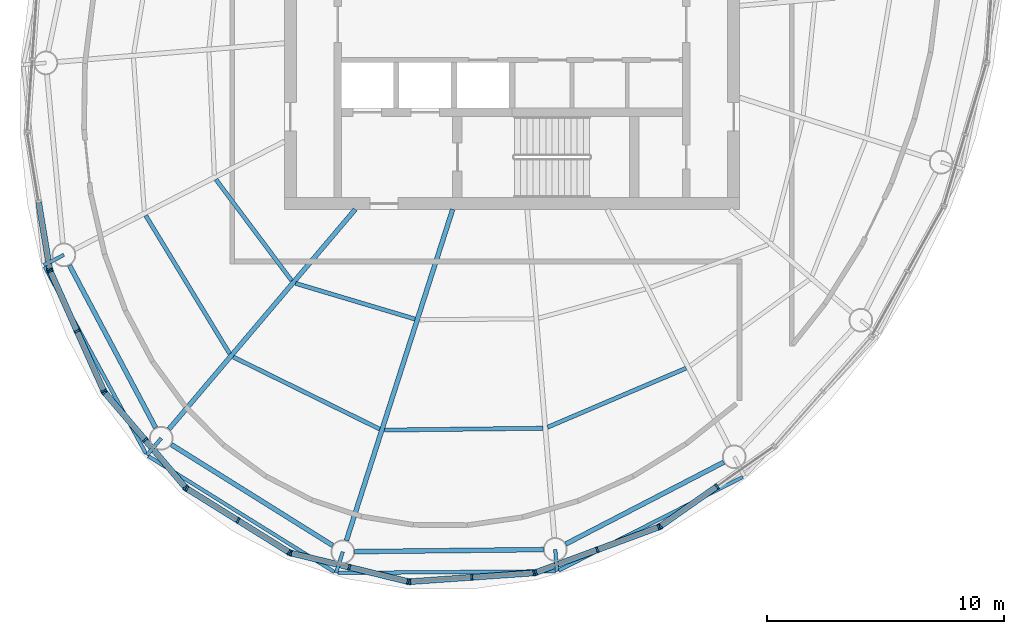
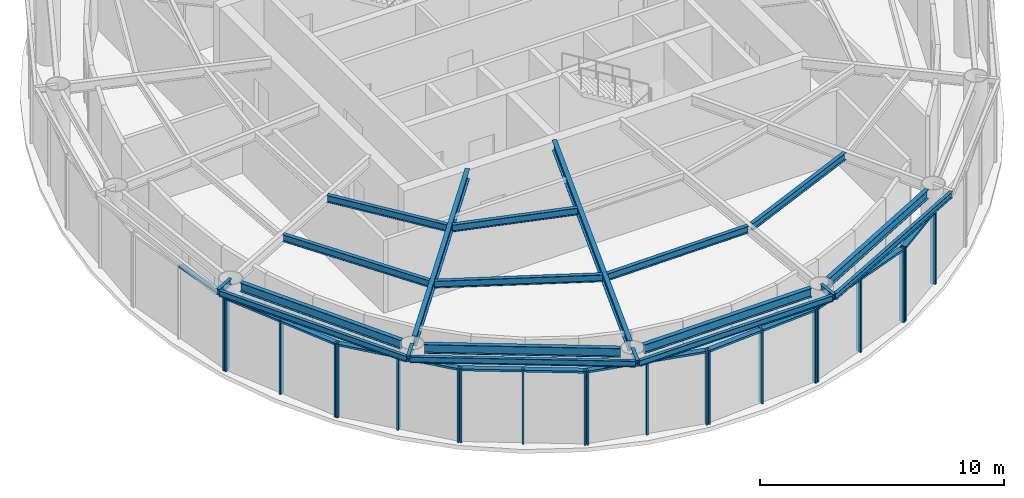
# One storey, part 2 of 11: 35 members, 20 beams, 8 elements without a shape of their own.
"""IFC4 building model written with IfcOpenShell, lengths in metres."""

import ifcopenshell
import ifcopenshell.guid

model = None  # the IFC model being written
_history = None  # IfcOwnerHistory: only IFC2X3 demands one
_inside = {}  # id of a spatial element -> (the spatial element, [elements in it])
_under = {}  # id of a project, library or spatial element -> (it, [spatial elements below it])
_declared = {}  # id of a project -> (the project, [libraries it declares])
_typed = {}  # id of a type object -> (the type object, [elements of that type])
_made_of = {}  # id of a material, layer set ... -> (it, [elements and type objects made of it])


def new_model(schema):
    """Start an empty IFC model of exactly this schema.

    Asked for "IFC4X3", IfcOpenShell would pick the latest addendum, in which some entities
    have other attributes; the version numbers below select the first issue.
    IFC2X3 requires an IfcOwnerHistory on every rooted entity: one is made here for all.
    """
    global model, _history
    if schema == "IFC4X3":
        model = ifcopenshell.file(schema_version=(4, 3, 0, 0))
    else:
        model = ifcopenshell.file(schema=schema)
    _inside.clear()
    _under.clear()
    _declared.clear()
    _typed.clear()
    _made_of.clear()
    _history = None
    if model.schema == "IFC2X3":
        org = make("IfcOrganization", Name="unknown")
        user = make(
            "IfcPersonAndOrganization",
            ThePerson=make("IfcPerson", FamilyName="unknown"),
            TheOrganization=org,
        )
        app = make(
            "IfcApplication",
            ApplicationDeveloper=org,
            Version="unknown",
            ApplicationFullName="unknown",
            ApplicationIdentifier="unknown",
        )
        _history = make(
            "IfcOwnerHistory",
            OwningUser=user,
            OwningApplication=app,
            ChangeAction="ADDED",
            CreationDate=0,
        )
    return model


def make(cls, **values):
    """One entity of the class cls with the attributes given. An attribute that is None is left unset."""
    return model.create_entity(
        cls, **{name: value for name, value in values.items() if value is not None}
    )


def rooted(cls, **values):
    """An entity with a GlobalId (a new one), such as an element, a storey or a relation."""
    return make(cls, GlobalId=ifcopenshell.guid.new(), OwnerHistory=_history, **values)


def si_unit(unit_type, name, prefix=None):
    """IfcSIUnit, for example si_unit("LENGTHUNIT", "METRE", prefix="MILLI")."""
    return make("IfcSIUnit", UnitType=unit_type, Prefix=prefix, Name=name)


def assignment(units):
    """IfcUnitAssignment: the units of a project."""
    return None if units is None else make("IfcUnitAssignment", Units=units)


def point(xyz):
    """IfcCartesianPoint."""
    return None if xyz is None else make("IfcCartesianPoint", Coordinates=xyz)


def direction(xyz):
    """IfcDirection."""
    return None if xyz is None else make("IfcDirection", DirectionRatios=xyz)


def frame(location, z_axis=None, x_axis=None):
    """IfcAxis2Placement3D, a coordinate frame: its origin and axes. An axis left out is left unset."""
    return make(
        "IfcAxis2Placement3D",
        Location=point(location),
        Axis=direction(z_axis),
        RefDirection=direction(x_axis),
    )


def frame_2d(location, x_axis=None):
    """IfcAxis2Placement2D, a coordinate frame in the plane: its origin and x axis."""
    return make(
        "IfcAxis2Placement2D", Location=point(location), RefDirection=direction(x_axis)
    )


def origin():
    """The frame at (0, 0, 0) with its axes left unset."""
    return frame((0.0, 0.0, 0.0))


def origin_2d():
    """The frame at (0, 0) in the plane with its x axis left unset."""
    return frame_2d((0.0, 0.0))


def place(relative_to, where):
    """IfcLocalPlacement: puts the frame where relative to a parent placement (None: the world)."""
    return make(
        "IfcLocalPlacement", PlacementRelTo=relative_to, RelativePlacement=where
    )


def context(
    kind, dimensions, precision=None, world=None, true_north=None, identifier=None
):
    """IfcGeometricRepresentationContext, for example the 3D "Model" context."""
    return make(
        "IfcGeometricRepresentationContext",
        ContextIdentifier=identifier,
        ContextType=kind,
        CoordinateSpaceDimension=dimensions,
        Precision=precision,
        WorldCoordinateSystem=world,
        TrueNorth=true_north,
    )


def subcontext(parent, identifier, kind, view, scale=None):
    """IfcGeometricRepresentationSubContext, for example "Body" below "Model"."""
    return make(
        "IfcGeometricRepresentationSubContext",
        ContextIdentifier=identifier,
        ContextType=kind,
        ParentContext=parent,
        TargetScale=scale,
        TargetView=view,
    )


def project(units=None, contexts=None):
    """IfcProject with its units and contexts."""
    return rooted(
        "IfcProject",
        Name="project",
        RepresentationContexts=contexts,
        UnitsInContext=assignment(units),
    )


def spatial(cls, under=None, at=None, **own):
    """A site, building, storey or space (cls), placed at a placement, below another one or the project."""
    s = rooted(cls, ObjectPlacement=at, **own)
    if under is not None:
        _under.setdefault(under.id(), (under, []))[1].append(s)
    return s


def profile(cls, at=None, kind="AREA", **sizes):
    """A parametric profile (cls). Its sizes go by their IFC names, for example OverallWidth=200.0."""
    return make(cls, ProfileType=kind, Position=at, **sizes)


def rectangle(**sizes):
    """IfcRectangleProfileDef."""
    return profile("IfcRectangleProfileDef", **sizes)


def i_section(**sizes):
    """IfcIShapeProfileDef."""
    return profile("IfcIShapeProfileDef", **sizes)


def extrude(swept, where, along, depth):
    """IfcExtrudedAreaSolid: the profile swept, set in the frame where, extruded along a direction by depth."""
    return make(
        "IfcExtrudedAreaSolid",
        SweptArea=swept,
        Position=where,
        ExtrudedDirection=direction(along),
        Depth=depth,
    )


def shape(context_of_items, identifier, shape_type, items):
    """IfcShapeRepresentation: the items that make up one representation, for example the "Body"."""
    return make(
        "IfcShapeRepresentation",
        ContextOfItems=context_of_items,
        RepresentationIdentifier=identifier,
        RepresentationType=shape_type,
        Items=items,
    )


def material(Name=None, Category=None):
    """IfcMaterial."""
    return make("IfcMaterial", Name=Name, Category=Category)


def material_profile(
    of_material, cross_section, Name=None, Category=None, Priority=None
):
    """IfcMaterialProfile: a cross section and its material."""
    return make(
        "IfcMaterialProfile",
        Name=Name,
        Material=of_material,
        Profile=cross_section,
        Priority=Priority,
        Category=Category,
    )


def profile_set(profiles, Name=None, composite=None):
    """IfcMaterialProfileSet."""
    return make(
        "IfcMaterialProfileSet",
        Name=Name,
        MaterialProfiles=profiles,
        CompositeProfile=composite,
    )


def made_of(thing, what):
    """Note that an element or type object is made of a material, layer set ...; save() writes the relation."""
    if what is not None:
        _made_of.setdefault(what.id(), (what, []))[1].append(thing)
    return thing


def type_object(cls, material=None, **own):
    """A type object (cls), such as IfcWallType, which elements share."""
    return made_of(rooted(cls, **own), material)


def element(
    cls,
    number,
    at=None,
    inside=None,
    cuts=None,
    type_object=None,
    material=None,
    context=None,
    identifier="Body",
    shape_type=None,
    held_by="IfcProductDefinitionShape",
    body=None,
    shapes=None,
    **own,
):
    """One element of the class cls, such as IfcWall. Its Tag is "e" and its number.

    at: its placement. inside: the storey or other place that contains it. cuts: it is an
    opening in that element (IfcRelVoidsElement). A single representation is given by context,
    identifier, shape_type and body (its items); several are given by shapes. held_by: the class
    of the entity that holds the representations. save() writes the other relations.
    """
    e = rooted(cls, Tag="e%d" % number, ObjectPlacement=at, **own)
    if body is not None:
        shapes = [shape(context, identifier, shape_type, body)]
    if shapes is not None:
        e.Representation = make(held_by, Representations=shapes)
    if inside is not None:
        _inside.setdefault(inside.id(), (inside, []))[1].append(e)
    if cuts is not None:
        rooted(
            "IfcRelVoidsElement", RelatingBuildingElement=cuts, RelatedOpeningElement=e
        )
    if type_object is not None:
        _typed.setdefault(type_object.id(), (type_object, []))[1].append(e)
    return made_of(e, material)


def aggregate(whole, parts):
    """IfcRelAggregates: a whole, such as a stair, and the parts it consists of."""
    return rooted("IfcRelAggregates", RelatingObject=whole, RelatedObjects=parts)


def save(model, path):
    """Write the relations noted so far, then the file.

    IfcRelAggregates (storeys below a building ...), IfcRelContainedInSpatialStructure (elements
    in a storey), IfcRelDefinesByType, IfcRelAssociatesMaterial and IfcRelDeclares: one each for
    every whole, place, type object, material and project.
    """
    for whole, parts in _under.values():
        aggregate(whole, parts)
    for where, things in _inside.values():
        rooted(
            "IfcRelContainedInSpatialStructure",
            RelatedElements=things,
            RelatingStructure=where,
        )
    for kind, things in _typed.values():
        rooted("IfcRelDefinesByType", RelatedObjects=things, RelatingType=kind)
    for what, things in _made_of.values():
        rooted("IfcRelAssociatesMaterial", RelatedObjects=things, RelatingMaterial=what)
    for by, libraries in _declared.values():
        rooted("IfcRelDeclares", RelatingContext=by, RelatedDefinitions=libraries)
    model.write(path)


model = new_model("IFC4")

# Units and contexts
model_context = context("Model", 3, precision=1e-05, world=origin(), true_north=direction((0.0, 1.0)))
body_context = subcontext(model_context, "Body", "Model", "MODEL_VIEW")
ifc_project = project(units=[si_unit("LENGTHUNIT", "METRE"), si_unit("AREAUNIT", "SQUARE_METRE"), si_unit("VOLUMEUNIT", "CUBIC_METRE"), si_unit("PLANEANGLEUNIT", "RADIAN"), si_unit("MASSUNIT", "GRAM", prefix="KILO")], contexts=[model_context])

# Site, building, storey
site_placement = place(None, origin())
site = spatial("IfcSite", under=ifc_project, at=site_placement, CompositionType="ELEMENT")
building_placement = place(site_placement, origin())
building = spatial("IfcBuilding", under=site, at=building_placement, Name="Vermilion Reach Broadcast Tower", CompositionType="ELEMENT")
storey_placement = place(building_placement, frame((0.0, 0.0, 321.300048828125)))
storey = spatial("IfcBuildingStorey", under=building, at=storey_placement, Name="L80 CROWN", CompositionType="ELEMENT", Elevation=321.300048828125)

# Curtain wall, member
ifc_material_1 = material(Name="Low-e laminated clear glass in aluminium frame", Category="aluminium")
curtain_wall_type = type_object("IfcCurtainWallType", Name="Crown glazing curtain wall", PredefinedType="NOTDEFINED", material=ifc_material_1)
placement = place(storey_placement, origin())
curtain_wall_1 = element("IfcCurtainWall", 1, at=placement, inside=storey, type_object=curtain_wall_type, Name="Crown glazing L80 CROWN 09", PredefinedType="NOTDEFINED")
ifc_material_2 = material(Name="Anodised aluminium", Category="aluminium")
ifc_material_profile_1 = material_profile(ifc_material_2, rectangle(XDim=0.25, YDim=0.080078125, at=origin_2d()), Name="Crown glazing mullion 80 x 250")
ifc_profile_set_1 = profile_set([ifc_material_profile_1], Name="Anodised aluminium")
member_type_1 = type_object("IfcMemberType", Name="Crown glazing mullion 80 x 250", PredefinedType="MULLION", material=ifc_profile_set_1)
member_1_placement = place(storey_placement, frame((-25.5029296875, -10.3359375, 0.0), z_axis=(0.0, 0.0, 1.0), x_axis=(0.986689101121, 0.162618011697, 0.0)))
member_1 = element("IfcMember", 2, at=member_1_placement, type_object=member_type_1, Name="Crown glazing mullion L80 CROWN 09.3", PredefinedType="MULLION", context=body_context, shape_type="SweptSolid", body=[
    extrude(rectangle(XDim=0.25, YDim=0.080078125, at=origin_2d()), origin(), (0.0, 0.0, 1.0), 3.699951171875),
])

# Curtain wall, members
curtain_wall_2 = element("IfcCurtainWall", 3, at=placement, inside=storey, type_object=curtain_wall_type, Name="Crown glazing L80 CROWN 10", PredefinedType="NOTDEFINED")
member_2_placement = place(storey_placement, frame((-25.480224609375, -10.411865234375, 0.0), z_axis=(0.0, 0.0, 1.0), x_axis=(0.912988806241, 0.407984607158, 0.0)))
member_2 = element("IfcMember", 4, at=member_2_placement, type_object=member_type_1, Name="Crown glazing mullion L80 CROWN 10.1", PredefinedType="MULLION", context=body_context, shape_type="SweptSolid", body=[
    extrude(rectangle(XDim=0.25, YDim=0.080078125, at=origin_2d()), origin(), (0.0, 0.0, 1.0), 3.699951171875),
])
member_3_placement = place(storey_placement, frame((-24.35205078125, -12.9365234375, 0.0), z_axis=(0.0, 0.0, 1.0), x_axis=(0.912988806241, 0.407984607158, 0.0)))
member_3 = element("IfcMember", 5, at=member_3_placement, type_object=member_type_1, Name="Crown glazing mullion L80 CROWN 10.2", PredefinedType="MULLION", context=body_context, shape_type="SweptSolid", body=[
    extrude(rectangle(XDim=0.25, YDim=0.080078125, at=origin_2d()), origin(), (0.0, 0.0, 1.0), 3.699951171875),
])
member_4_placement = place(storey_placement, frame((-23.2236328125, -15.46142578125, 0.0), z_axis=(0.0, 0.0, 1.0), x_axis=(0.912988806241, 0.407984607158, 0.0)))
member_4 = element("IfcMember", 6, at=member_4_placement, type_object=member_type_1, Name="Crown glazing mullion L80 CROWN 10.3", PredefinedType="MULLION", context=body_context, shape_type="SweptSolid", body=[
    extrude(rectangle(XDim=0.25, YDim=0.080078125, at=origin_2d()), origin(), (0.0, 0.0, 1.0), 3.699951171875),
])

curtain_wall_3 = element("IfcCurtainWall", 7, at=placement, inside=storey, type_object=curtain_wall_type, Name="Crown glazing L80 CROWN 11", PredefinedType="NOTDEFINED")
member_5_placement = place(storey_placement, frame((-23.181396484375, -15.5283203125, 0.0), z_axis=(0.0, 0.0, 1.0), x_axis=(0.761749854468, 0.647871252038, 0.0)))
member_5 = element("IfcMember", 8, at=member_5_placement, type_object=member_type_1, Name="Crown glazing mullion L80 CROWN 11.1", PredefinedType="MULLION", context=body_context, shape_type="SweptSolid", body=[
    extrude(rectangle(XDim=0.25, YDim=0.080078125, at=origin_2d()), origin(), (0.0, 0.0, 1.0), 3.699951171875),
])
member_6_placement = place(storey_placement, frame((-21.480224609375, -17.52880859375, 0.0), z_axis=(0.0, 0.0, 1.0), x_axis=(0.761749854468, 0.647871252038, 0.0)))
member_6 = element("IfcMember", 9, at=member_6_placement, type_object=member_type_1, Name="Crown glazing mullion L80 CROWN 11.2", PredefinedType="MULLION", context=body_context, shape_type="SweptSolid", body=[
    extrude(rectangle(XDim=0.25, YDim=0.080078125, at=origin_2d()), origin(), (0.0, 0.0, 1.0), 3.699951171875),
])
member_7_placement = place(storey_placement, frame((-19.77880859375, -19.529052734375, 0.0), z_axis=(0.0, 0.0, 1.0), x_axis=(0.761749854468, 0.647871252038, 0.0)))
member_7 = element("IfcMember", 10, at=member_7_placement, type_object=member_type_1, Name="Crown glazing mullion L80 CROWN 11.3", PredefinedType="MULLION", context=body_context, shape_type="SweptSolid", body=[
    extrude(rectangle(XDim=0.25, YDim=0.080078125, at=origin_2d()), origin(), (0.0, 0.0, 1.0), 3.699951171875),
])

curtain_wall_4 = element("IfcCurtainWall", 11, at=placement, inside=storey, type_object=curtain_wall_type, Name="Crown glazing L80 CROWN 12", PredefinedType="NOTDEFINED")
member_8_placement = place(storey_placement, frame((-19.718994140625, -19.580810546875, 0.0), z_axis=(0.0, 0.0, 1.0), x_axis=(0.52886102859, 0.848708437827, 0.0)))
member_8 = element("IfcMember", 12, at=member_8_placement, type_object=member_type_1, Name="Crown glazing mullion L80 CROWN 12.1", PredefinedType="MULLION", context=body_context, shape_type="SweptSolid", body=[
    extrude(rectangle(XDim=0.25, YDim=0.080078125, at=origin_2d()), origin(), (0.0, 0.0, 1.0), 3.699951171875),
])
member_9_placement = place(storey_placement, frame((-17.5615234375, -20.925048828125, 0.0), z_axis=(0.0, 0.0, 1.0), x_axis=(0.52886102859, 0.848708437827, 0.0)))
member_9 = element("IfcMember", 13, at=member_9_placement, type_object=member_type_1, Name="Crown glazing mullion L80 CROWN 12.2", PredefinedType="MULLION", context=body_context, shape_type="SweptSolid", body=[
    extrude(rectangle(XDim=0.25, YDim=0.080078125, at=origin_2d()), origin(), (0.0, 0.0, 1.0), 3.699951171875),
])
member_10_placement = place(storey_placement, frame((-15.404052734375, -22.26953125, 0.0), z_axis=(0.0, 0.0, 1.0), x_axis=(0.52886102859, 0.848708437827, 0.0)))
member_10 = element("IfcMember", 14, at=member_10_placement, type_object=member_type_1, Name="Crown glazing mullion L80 CROWN 12.3", PredefinedType="MULLION", context=body_context, shape_type="SweptSolid", body=[
    extrude(rectangle(XDim=0.25, YDim=0.080078125, at=origin_2d()), origin(), (0.0, 0.0, 1.0), 3.699951171875),
])

curtain_wall_5 = element("IfcCurtainWall", 15, at=placement, inside=storey, type_object=curtain_wall_type, Name="Crown glazing L80 CROWN 13", PredefinedType="NOTDEFINED")
member_11_placement = place(storey_placement, frame((-15.331298828125, -22.300048828125, 0.0), z_axis=(0.0, 0.0, 1.0), x_axis=(0.236354420386, 0.971666912045, 0.0)))
member_11 = element("IfcMember", 16, at=member_11_placement, type_object=member_type_1, Name="Crown glazing mullion L80 CROWN 13.1", PredefinedType="MULLION", context=body_context, shape_type="SweptSolid", body=[
    extrude(rectangle(XDim=0.25, YDim=0.080078125, at=origin_2d()), origin(), (0.0, 0.0, 1.0), 3.699951171875),
])
member_12_placement = place(storey_placement, frame((-12.861328125, -22.90087890625, 0.0), z_axis=(0.0, 0.0, 1.0), x_axis=(0.236354420386, 0.971666912045, 0.0)))
member_12 = element("IfcMember", 17, at=member_12_placement, type_object=member_type_1, Name="Crown glazing mullion L80 CROWN 13.2", PredefinedType="MULLION", context=body_context, shape_type="SweptSolid", body=[
    extrude(rectangle(XDim=0.25, YDim=0.080078125, at=origin_2d()), origin(), (0.0, 0.0, 1.0), 3.699951171875),
])
member_13_placement = place(storey_placement, frame((-10.39111328125, -23.501708984375, 0.0), z_axis=(0.0, 0.0, 1.0), x_axis=(0.236354420386, 0.971666912045, 0.0)))
member_13 = element("IfcMember", 18, at=member_13_placement, type_object=member_type_1, Name="Crown glazing mullion L80 CROWN 13.3", PredefinedType="MULLION", context=body_context, shape_type="SweptSolid", body=[
    extrude(rectangle(XDim=0.25, YDim=0.080078125, at=origin_2d()), origin(), (0.0, 0.0, 1.0), 3.699951171875),
])

curtain_wall_6 = element("IfcCurtainWall", 19, at=placement, inside=storey, type_object=curtain_wall_type, Name="Crown glazing L80 CROWN 14", PredefinedType="NOTDEFINED")
member_14_placement = place(storey_placement, frame((-10.3125, -23.50830078125, 0.0), z_axis=(0.0, 0.0, 1.0), x_axis=(-0.070082236977, 0.997541217224, 0.0)))
member_14 = element("IfcMember", 20, at=member_14_placement, type_object=member_type_1, Name="Crown glazing mullion L80 CROWN 14.1", PredefinedType="MULLION", context=body_context, shape_type="SweptSolid", body=[
    extrude(rectangle(XDim=0.25, YDim=0.080078125, at=origin_2d()), origin(), (0.0, 0.0, 1.0), 3.699951171875),
])
member_15_placement = place(storey_placement, frame((-7.69287109375, -23.324462890625, 0.0), z_axis=(0.0, 0.0, 1.0), x_axis=(-0.070082236977, 0.997541217224, 0.0)))
member_15 = element("IfcMember", 21, at=member_15_placement, type_object=member_type_1, Name="Crown glazing mullion L80 CROWN 14.2", PredefinedType="MULLION", context=body_context, shape_type="SweptSolid", body=[
    extrude(rectangle(XDim=0.25, YDim=0.080078125, at=origin_2d()), origin(), (0.0, 0.0, 1.0), 3.699951171875),
])
member_16_placement = place(storey_placement, frame((-5.0732421875, -23.140380859375, 0.0), z_axis=(0.0, 0.0, 1.0), x_axis=(-0.070082236977, 0.997541217224, 0.0)))
member_16 = element("IfcMember", 22, at=member_16_placement, type_object=member_type_1, Name="Crown glazing mullion L80 CROWN 14.3", PredefinedType="MULLION", context=body_context, shape_type="SweptSolid", body=[
    extrude(rectangle(XDim=0.25, YDim=0.080078125, at=origin_2d()), origin(), (0.0, 0.0, 1.0), 3.699951171875),
])

curtain_wall_7 = element("IfcCurtainWall", 23, at=placement, inside=storey, type_object=curtain_wall_type, Name="Crown glazing L80 CROWN 15", PredefinedType="NOTDEFINED")
member_17_placement = place(storey_placement, frame((-4.995849609375, -23.12353515625, 0.0), z_axis=(0.0, 0.0, 1.0), x_axis=(-0.347291008771, 0.93775740745, 0.0)))
member_17 = element("IfcMember", 24, at=member_17_placement, type_object=member_type_1, Name="Crown glazing mullion L80 CROWN 15.1", PredefinedType="MULLION", context=body_context, shape_type="SweptSolid", body=[
    extrude(rectangle(XDim=0.25, YDim=0.080078125, at=origin_2d()), origin(), (0.0, 0.0, 1.0), 3.699951171875),
])
member_18_placement = place(storey_placement, frame((-2.402587890625, -22.163330078125, 0.0), z_axis=(0.0, 0.0, 1.0), x_axis=(-0.347291008771, 0.93775740745, 0.0)))
member_18 = element("IfcMember", 25, at=member_18_placement, type_object=member_type_1, Name="Crown glazing mullion L80 CROWN 15.2", PredefinedType="MULLION", context=body_context, shape_type="SweptSolid", body=[
    extrude(rectangle(XDim=0.25, YDim=0.080078125, at=origin_2d()), origin(), (0.0, 0.0, 1.0), 3.699951171875),
])
member_19_placement = place(storey_placement, frame((0.190673828125, -21.202880859375, 0.0), z_axis=(0.0, 0.0, 1.0), x_axis=(-0.347291008771, 0.93775740745, 0.0)))
member_19 = element("IfcMember", 26, at=member_19_placement, type_object=member_type_1, Name="Crown glazing mullion L80 CROWN 15.3", PredefinedType="MULLION", context=body_context, shape_type="SweptSolid", body=[
    extrude(rectangle(XDim=0.25, YDim=0.080078125, at=origin_2d()), origin(), (0.0, 0.0, 1.0), 3.699951171875),
])

curtain_wall_8 = element("IfcCurtainWall", 27, at=placement, inside=storey, type_object=curtain_wall_type, Name="Crown glazing L80 CROWN 16", PredefinedType="NOTDEFINED")
member_20_placement = place(storey_placement, frame((0.2607421875, -21.166015625, 0.0), z_axis=(0.0, 0.0, 1.0), x_axis=(-0.574163969023, 0.818740335317, 0.0)))
member_20 = element("IfcMember", 28, at=member_20_placement, type_object=member_type_1, Name="Crown glazing mullion L80 CROWN 16.1", PredefinedType="MULLION", context=body_context, shape_type="SweptSolid", body=[
    extrude(rectangle(XDim=0.25, YDim=0.080078125, at=origin_2d()), origin(), (0.0, 0.0, 1.0), 3.699951171875),
])
member_21_placement = place(storey_placement, frame((2.64990234375, -19.49072265625, 0.0), z_axis=(0.0, 0.0, 1.0), x_axis=(-0.574163969023, 0.818740335317, 0.0)))
member_21 = element("IfcMember", 29, at=member_21_placement, type_object=member_type_1, Name="Crown glazing mullion L80 CROWN 16.2", PredefinedType="MULLION", context=body_context, shape_type="SweptSolid", body=[
    extrude(rectangle(XDim=0.25, YDim=0.080078125, at=origin_2d()), origin(), (0.0, 0.0, 1.0), 3.699951171875),
])

# Member
ifc_material_3 = material(Name="Anodised aluminium", Category="aluminium")
ifc_material_profile_2 = material_profile(ifc_material_3, rectangle(XDim=0.25, YDim=0.10009765625, at=origin_2d()), Name="Crown glazing transom 250 x 100")
ifc_profile_set_2 = profile_set([ifc_material_profile_2], Name="Anodised aluminium")
member_type_2 = type_object("IfcMemberType", Name="Crown glazing transom 250 x 100", PredefinedType="USERDEFINED", material=ifc_profile_set_2)
member_22_placement = place(storey_placement, frame((-25.970947265625, -7.496337890625, 3.64990234375), z_axis=(0.162599033258, -0.986692228805, 0.0), x_axis=(0.986692228805, 0.162599033258, 0.0)))
member_22 = element("IfcMember", 30, at=member_22_placement, type_object=member_type_2, Name="Crown glazing transom L80 CROWN 09.2.2", ObjectType="TRANSOM", PredefinedType="USERDEFINED", context=body_context, shape_type="SweptSolid", body=[
    extrude(rectangle(XDim=0.25, YDim=0.10009765625, at=origin_2d()), origin(), (0.0, 0.0, 1.0), 2.837890625),
])

aggregate(curtain_wall_1, [member_1, member_22])

member_23_placement = place(storey_placement, frame((-25.4638671875, -10.4482421875, 3.64990234375), z_axis=(0.407993268167, -0.912984935873, 0.0), x_axis=(0.912984935873, 0.407993268167, 0.0)))
member_23 = element("IfcMember", 31, at=member_23_placement, type_object=member_type_2, Name="Crown glazing transom L80 CROWN 10.1.2", ObjectType="TRANSOM", PredefinedType="USERDEFINED", context=body_context, shape_type="SweptSolid", body=[
    extrude(rectangle(XDim=0.25, YDim=0.10009765625, at=origin_2d()), origin(), (0.0, 0.0, 1.0), 2.685546875),
])

member_24_placement = place(storey_placement, frame((-24.335693359375, -12.97314453125, 3.64990234375), z_axis=(0.40802713302, -0.912969801647, 0.0), x_axis=(0.912969801647, 0.40802713302, 0.0)))
member_24 = element("IfcMember", 32, at=member_24_placement, type_object=member_type_2, Name="Crown glazing transom L80 CROWN 10.2.2", ObjectType="TRANSOM", PredefinedType="USERDEFINED", context=body_context, shape_type="SweptSolid", body=[
    extrude(rectangle(XDim=0.25, YDim=0.10009765625, at=origin_2d()), origin(), (0.0, 0.0, 1.0), 2.685302734375),
])

aggregate(curtain_wall_2, [member_2, member_3, member_4, member_23, member_24])

member_25_placement = place(storey_placement, frame((-23.155517578125, -15.558837890625, 3.64990234375), z_axis=(0.647848811341, -0.7617689398, 0.0), x_axis=(0.7617689398, 0.647848811341, 0.0)))
member_25 = element("IfcMember", 33, at=member_25_placement, type_object=member_type_2, Name="Crown glazing transom L80 CROWN 11.1.2", ObjectType="TRANSOM", PredefinedType="USERDEFINED", context=body_context, shape_type="SweptSolid", body=[
    extrude(rectangle(XDim=0.25, YDim=0.10009765625, at=origin_2d()), origin(), (0.0, 0.0, 1.0), 2.5458984375),
])

member_26_placement = place(storey_placement, frame((-21.454345703125, -17.55908203125, 3.64990234375), z_axis=(0.647904451719, -0.761721616762, 0.0), x_axis=(0.761721616762, 0.647904451719, 0.0)))
member_26 = element("IfcMember", 34, at=member_26_placement, type_object=member_type_2, Name="Crown glazing transom L80 CROWN 11.2.2", ObjectType="TRANSOM", PredefinedType="USERDEFINED", context=body_context, shape_type="SweptSolid", body=[
    extrude(rectangle(XDim=0.25, YDim=0.10009765625, at=origin_2d()), origin(), (0.0, 0.0, 1.0), 2.546142578125),
])

aggregate(curtain_wall_3, [member_5, member_6, member_7, member_25, member_26])

member_27_placement = place(storey_placement, frame((-19.68505859375, -19.601806640625, 3.64990234375), z_axis=(0.848682779768, -0.528902202043, 0.0), x_axis=(0.528902202043, 0.848682779768, 0.0)))
member_27 = element("IfcMember", 35, at=member_27_placement, type_object=member_type_2, Name="Crown glazing transom L80 CROWN 12.1.2", ObjectType="TRANSOM", PredefinedType="USERDEFINED", context=body_context, shape_type="SweptSolid", body=[
    extrude(rectangle(XDim=0.25, YDim=0.10009765625, at=origin_2d()), origin(), (0.0, 0.0, 1.0), 2.462158203125),
])

member_28_placement = place(storey_placement, frame((-17.527587890625, -20.9462890625, 3.64990234375), z_axis=(0.848727287614, -0.528830777526, 0.0), x_axis=(0.528830777526, 0.848727287614, 0.0)))
member_28 = element("IfcMember", 36, at=member_28_placement, type_object=member_type_2, Name="Crown glazing transom L80 CROWN 12.2.2", ObjectType="TRANSOM", PredefinedType="USERDEFINED", context=body_context, shape_type="SweptSolid", body=[
    extrude(rectangle(XDim=0.25, YDim=0.10009765625, at=origin_2d()), origin(), (0.0, 0.0, 1.0), 2.462158203125),
])

aggregate(curtain_wall_4, [member_8, member_9, member_10, member_27, member_28])

member_29_placement = place(storey_placement, frame((-15.29248046875, -22.3095703125, 3.64990234375), z_axis=(0.971679911502, -0.236300972457, 0.0), x_axis=(0.236300972457, 0.971679911502, 0.0)))
member_29 = element("IfcMember", 37, at=member_29_placement, type_object=member_type_2, Name="Crown glazing transom L80 CROWN 13.1.2", ObjectType="TRANSOM", PredefinedType="USERDEFINED", context=body_context, shape_type="SweptSolid", body=[
    extrude(rectangle(XDim=0.25, YDim=0.10009765625, at=origin_2d()), origin(), (0.0, 0.0, 1.0), 2.462158203125),
])

member_30_placement = place(storey_placement, frame((-12.822265625, -22.910400390625, 3.64990234375), z_axis=(0.971674373727, -0.236323742865, 0.0), x_axis=(0.236323742865, 0.971674373727, 0.0)))
member_30 = element("IfcMember", 38, at=member_30_placement, type_object=member_type_2, Name="Crown glazing transom L80 CROWN 13.2.2", ObjectType="TRANSOM", PredefinedType="USERDEFINED", context=body_context, shape_type="SweptSolid", body=[
    extrude(rectangle(XDim=0.25, YDim=0.10009765625, at=origin_2d()), origin(), (0.0, 0.0, 1.0), 2.4619140625),
])

aggregate(curtain_wall_5, [member_11, member_12, member_13, member_29, member_30])

member_31_placement = place(storey_placement, frame((-10.2724609375, -23.505615234375, 3.64990234375), z_axis=(0.997539824471, 0.07010205842, 0.0), x_axis=(-0.07010205842, 0.997539824471, 0.0)))
member_31 = element("IfcMember", 39, at=member_31_placement, type_object=member_type_2, Name="Crown glazing transom L80 CROWN 14.1.2", ObjectType="TRANSOM", PredefinedType="USERDEFINED", context=body_context, shape_type="SweptSolid", body=[
    extrude(rectangle(XDim=0.25, YDim=0.10009765625, at=origin_2d()), origin(), (0.0, 0.0, 1.0), 2.5458984375),
])

member_32_placement = place(storey_placement, frame((-7.653076171875, -23.321533203125, 3.64990234375), z_axis=(0.997540295679, 0.070095352893, 0.0), x_axis=(-0.070095352893, 0.997540295679, 0.0)))
member_32 = element("IfcMember", 40, at=member_32_placement, type_object=member_type_2, Name="Crown glazing transom L80 CROWN 14.2.2", ObjectType="TRANSOM", PredefinedType="USERDEFINED", context=body_context, shape_type="SweptSolid", body=[
    extrude(rectangle(XDim=0.25, YDim=0.10009765625, at=origin_2d()), origin(), (0.0, 0.0, 1.0), 2.546142578125),
])

aggregate(curtain_wall_6, [member_14, member_15, member_16, member_31, member_32])

member_33_placement = place(storey_placement, frame((-4.95849609375, -23.109619140625, 3.64990234375), z_axis=(0.937789331633, 0.347204794717, 0.0), x_axis=(-0.347204794717, 0.937789331633, 0.0)))
member_33 = element("IfcMember", 41, at=member_33_placement, type_object=member_type_2, Name="Crown glazing transom L80 CROWN 15.1.2", ObjectType="TRANSOM", PredefinedType="USERDEFINED", context=body_context, shape_type="SweptSolid", body=[
    extrude(rectangle(XDim=0.25, YDim=0.10009765625, at=origin_2d()), origin(), (0.0, 0.0, 1.0), 2.685302734375),
])

member_34_placement = place(storey_placement, frame((-2.365234375, -22.1494140625, 3.64990234375), z_axis=(0.93775972675, 0.347284746116, 0.0), x_axis=(-0.347284746116, 0.93775972675, 0.0)))
member_34 = element("IfcMember", 42, at=member_34_placement, type_object=member_type_2, Name="Crown glazing transom L80 CROWN 15.2.2", ObjectType="TRANSOM", PredefinedType="USERDEFINED", context=body_context, shape_type="SweptSolid", body=[
    extrude(rectangle(XDim=0.25, YDim=0.10009765625, at=origin_2d()), origin(), (0.0, 0.0, 1.0), 2.685546875),
])

aggregate(curtain_wall_7, [member_17, member_18, member_19, member_33, member_34])

member_35_placement = place(storey_placement, frame((0.293701171875, -21.14306640625, 3.64990234375), z_axis=(0.818742582552, 0.574160764522, 0.0), x_axis=(-0.574160764522, 0.818742582552, 0.0)))
member_35 = element("IfcMember", 43, at=member_35_placement, type_object=member_type_2, Name="Crown glazing transom L80 CROWN 16.1.2", ObjectType="TRANSOM", PredefinedType="USERDEFINED", context=body_context, shape_type="SweptSolid", body=[
    extrude(rectangle(XDim=0.25, YDim=0.10009765625, at=origin_2d()), origin(), (0.0, 0.0, 1.0), 2.837890625),
])

aggregate(curtain_wall_8, [member_20, member_21, member_35])

# Beams
ifc_material_4 = material(Name="Steel S355J2", Category="steel")
ifc_material_profile_3 = material_profile(ifc_material_4, i_section(OverallWidth=0.14990234375, OverallDepth=0.300048828125, WebThickness=0.006591796875, FlangeThickness=0.009033203125, at=origin_2d()), Name="S355J2 HN 300x150x6.5x9")
ifc_profile_set_3 = profile_set([ifc_material_profile_3], Name="Steel S355J2")
beam_type_1 = type_object("IfcBeamType", Name="EB5 HN 300x150x6.5x9", PredefinedType="BEAM", material=ifc_profile_set_3)
beam_1_placement = place(storey_placement, frame((-25.7158203125, -10.22119140625, 3.849853515625), z_axis=(0.476526173128, -0.879160284774, 0.0), x_axis=(0.879160284774, 0.476526173128, 0.0)))
element("IfcBeam", 44, at=beam_1_placement, inside=storey, type_object=beam_type_1, Name="Edge beam EB5-07", PredefinedType="BEAM", context=body_context, shape_type="SweptSolid", body=[
    extrude(i_section(OverallWidth=0.14990234375, OverallDepth=0.300048828125, WebThickness=0.006591796875, FlangeThickness=0.009033203125, at=origin_2d()), origin(), (0.0, 0.0, 1.0), 8.9638671875),
])
beam_2_placement = place(storey_placement, frame((-21.341552734375, -18.212646484375, 3.849853515625), z_axis=(0.848928421209, -0.528507838791, 0.0), x_axis=(0.528507838791, 0.848928421209, 0.0)))
element("IfcBeam", 45, at=beam_2_placement, inside=storey, type_object=beam_type_1, Name="Edge beam EB5-08", PredefinedType="BEAM", context=body_context, shape_type="SweptSolid", body=[
    extrude(i_section(OverallWidth=0.14990234375, OverallDepth=0.300048828125, WebThickness=0.006591796875, FlangeThickness=0.009033203125, at=origin_2d()), origin(), (0.0, 0.0, 1.0), 9.24755859375),
])
beam_3_placement = place(storey_placement, frame((-13.346435546875, -23.140380859375, 3.849853515625), z_axis=(0.999971629622, 0.007532592595, 0.0), x_axis=(-0.007532592595, 0.999971629622, 0.0)))
element("IfcBeam", 46, at=beam_3_placement, inside=storey, type_object=beam_type_1, Name="Edge beam EB5-09", PredefinedType="BEAM", context=body_context, shape_type="SweptSolid", body=[
    extrude(i_section(OverallWidth=0.14990234375, OverallDepth=0.300048828125, WebThickness=0.006591796875, FlangeThickness=0.009033203125, at=origin_2d()), origin(), (0.0, 0.0, 1.0), 9.17236328125),
])
beam_4_placement = place(storey_placement, frame((-4.02685546875, -23.033935546875, 3.849853515625), z_axis=(0.891604217889, 0.452815545936, 0.0), x_axis=(-0.452815545936, 0.891604217889, 0.0)))
element("IfcBeam", 47, at=beam_4_placement, inside=storey, type_object=beam_type_1, Name="Edge beam EB5-10", PredefinedType="BEAM", context=body_context, shape_type="SweptSolid", body=[
    extrude(i_section(OverallWidth=0.14990234375, OverallDepth=0.300048828125, WebThickness=0.006591796875, FlangeThickness=0.009033203125, at=origin_2d()), origin(), (0.0, 0.0, 1.0), 8.70263671875),
])
ifc_material_5 = material(Name="Steel S355J2", Category="steel")
ifc_material_profile_4 = material_profile(ifc_material_5, i_section(OverallWidth=0.199951171875, OverallDepth=0.5, WebThickness=0.010009765625, FlangeThickness=0.01611328125, at=origin_2d()), Name="S355J2 HN 500x200x10x16")
ifc_profile_set_4 = profile_set([ifc_material_profile_4], Name="Steel S355J2")
beam_type_2 = type_object("IfcBeamType", Name="G5 HN 500x200x10x16", PredefinedType="BEAM", material=ifc_profile_set_4)
beam_5_placement = place(storey_placement, frame((-12.612548828125, -7.800048828125, 3.75), z_axis=(-0.646658335602, -0.762779782766, 0.0), x_axis=(0.762779782766, -0.646658335602, 0.0)))
element("IfcBeam", 48, at=beam_5_placement, inside=storey, type_object=beam_type_2, Name="Girder G5-08", PredefinedType="BEAM", context=body_context, shape_type="SweptSolid", body=[
    extrude(i_section(OverallWidth=0.199951171875, OverallDepth=0.5, WebThickness=0.010009765625, FlangeThickness=0.01611328125, at=origin_2d()), origin(), (0.0, 0.0, 1.0), 12.16064453125),
])
beam_6_placement = place(storey_placement, frame((-8.502685546875, -7.800048828125, 3.75), z_axis=(-0.305545401295, -0.952177508528, 0.0), x_axis=(0.952177508528, -0.305545401295, 0.0)))
element("IfcBeam", 49, at=beam_6_placement, inside=storey, type_object=beam_type_2, Name="Girder G5-09", PredefinedType="BEAM", context=body_context, shape_type="SweptSolid", body=[
    extrude(i_section(OverallWidth=0.199951171875, OverallDepth=0.5, WebThickness=0.010009765625, FlangeThickness=0.01611328125, at=origin_2d()), origin(), (0.0, 0.0, 1.0), 14.672607421875),
])
ifc_material_6 = material(Name="Steel S355J2", Category="steel")
ifc_material_profile_5 = material_profile(ifc_material_6, i_section(OverallWidth=0.14990234375, OverallDepth=0.300048828125, WebThickness=0.006591796875, FlangeThickness=0.009033203125, at=origin_2d()), Name="S355J2 HN 300x150x6.5x9")
ifc_profile_set_5 = profile_set([ifc_material_profile_5], Name="Steel S355J2")
beam_type_3 = type_object("IfcBeamType", Name="GS5 HN 300x150x6.5x9", PredefinedType="BEAM", material=ifc_profile_set_5)
beam_7_placement = place(storey_placement, frame((-24.905517578125, -9.72021484375, 3.849853515625), z_axis=(-0.88934146644, -0.457243650662, 0.0), x_axis=(0.457243650662, -0.88934146644, 0.0)))
element("IfcBeam", 50, at=beam_7_placement, inside=storey, type_object=beam_type_3, Name="Cantilever stub GS5-07", PredefinedType="BEAM", context=body_context, shape_type="SweptSolid", body=[
    extrude(i_section(OverallWidth=0.14990234375, OverallDepth=0.300048828125, WebThickness=0.006591796875, FlangeThickness=0.009033203125, at=origin_2d()), origin(), (0.0, 0.0, 1.0), 0.951416015625),
])
beam_8_placement = place(storey_placement, frame((-20.799560546875, -17.457275390625, 3.849853515625), z_axis=(-0.646665495652, -0.762773712665, 0.0), x_axis=(0.762773712665, -0.646665495652, 0.0)))
element("IfcBeam", 51, at=beam_8_placement, inside=storey, type_object=beam_type_3, Name="Cantilever stub GS5-08", PredefinedType="BEAM", context=body_context, shape_type="SweptSolid", body=[
    extrude(i_section(OverallWidth=0.14990234375, OverallDepth=0.300048828125, WebThickness=0.006591796875, FlangeThickness=0.009033203125, at=origin_2d()), origin(), (0.0, 0.0, 1.0), 0.937744140625),
])
beam_9_placement = place(storey_placement, frame((-13.138427734375, -22.2470703125, 3.849853515625), z_axis=(-0.305596628184, -0.95216106875, 0.0), x_axis=(0.95216106875, -0.305596628184, 0.0)))
element("IfcBeam", 52, at=beam_9_placement, inside=storey, type_object=beam_type_3, Name="Cantilever stub GS5-09", PredefinedType="BEAM", context=body_context, shape_type="SweptSolid", body=[
    extrude(i_section(OverallWidth=0.14990234375, OverallDepth=0.300048828125, WebThickness=0.006591796875, FlangeThickness=0.009033203125, at=origin_2d()), origin(), (0.0, 0.0, 1.0), 0.938720703125),
])
beam_10_placement = place(storey_placement, frame((-4.175048828125, -22.1494140625, 3.849853515625), z_axis=(0.082149174093, -0.996620044548, 0.0), x_axis=(0.996620044548, 0.082149174093, 0.0)))
element("IfcBeam", 53, at=beam_10_placement, inside=storey, type_object=beam_type_3, Name="Cantilever stub GS5-10", PredefinedType="BEAM", context=body_context, shape_type="SweptSolid", body=[
    extrude(i_section(OverallWidth=0.14990234375, OverallDepth=0.300048828125, WebThickness=0.006591796875, FlangeThickness=0.009033203125, at=origin_2d()), origin(), (0.0, 0.0, 1.0), 0.92431640625),
])
ifc_material_7 = material(Name="Steel S355J2", Category="steel")
ifc_material_profile_6 = material_profile(ifc_material_7, i_section(OverallWidth=0.199951171875, OverallDepth=0.449951171875, WebThickness=0.009033203125, FlangeThickness=0.013916015625, at=origin_2d()), Name="S355J2 HN 450x200x9x14")
ifc_profile_set_6 = profile_set([ifc_material_profile_6], Name="Steel S355J2")
beam_type_4 = type_object("IfcBeamType", Name="RB5 HN 450x200x9x14", PredefinedType="BEAM", material=ifc_profile_set_6)
beam_11_placement = place(storey_placement, frame((-24.671142578125, -10.161865234375, 3.77490234375), z_axis=(0.468767917375, -0.883321368269, 0.0), x_axis=(0.883321368269, 0.468767917375, 0.0)))
element("IfcBeam", 54, at=beam_11_placement, inside=storey, type_object=beam_type_4, Name="Ring beam RB5-07", PredefinedType="BEAM", context=body_context, shape_type="SweptSolid", body=[
    extrude(i_section(OverallWidth=0.199951171875, OverallDepth=0.449951171875, WebThickness=0.009033203125, FlangeThickness=0.013916015625, at=origin_2d()), origin(), (0.0, 0.0, 1.0), 7.759033203125),
])
beam_12_placement = place(storey_placement, frame((-20.375732421875, -17.722412109375, 3.77490234375), z_axis=(0.847914653245, -0.530132757724, 0.0), x_axis=(0.530132757724, 0.847914653245, 0.0)))
element("IfcBeam", 55, at=beam_12_placement, inside=storey, type_object=beam_type_4, Name="Ring beam RB5-08", PredefinedType="BEAM", context=body_context, shape_type="SweptSolid", body=[
    extrude(i_section(OverallWidth=0.199951171875, OverallDepth=0.449951171875, WebThickness=0.009033203125, FlangeThickness=0.013916015625, at=origin_2d()), origin(), (0.0, 0.0, 1.0), 8.035400390625),
])
beam_13_placement = place(storey_placement, frame((-12.638427734375, -22.24169921875, 3.77490234375), z_axis=(0.999940445231, 0.010913569149, 0.0), x_axis=(-0.010913569149, 0.999940445231, 0.0)))
element("IfcBeam", 56, at=beam_13_placement, inside=storey, type_object=beam_type_4, Name="Ring beam RB5-09", PredefinedType="BEAM", context=body_context, shape_type="SweptSolid", body=[
    extrude(i_section(OverallWidth=0.199951171875, OverallDepth=0.449951171875, WebThickness=0.009033203125, FlangeThickness=0.013916015625, at=origin_2d()), origin(), (0.0, 0.0, 1.0), 7.9638671875),
])
beam_14_placement = place(storey_placement, frame((-3.731201171875, -21.91943359375, 3.77490234375), z_axis=(0.887960248279, 0.459920207729, 0.0), x_axis=(-0.459920207729, 0.887960248279, 0.0)))
element("IfcBeam", 57, at=beam_14_placement, inside=storey, type_object=beam_type_4, Name="Ring beam RB5-10", PredefinedType="BEAM", context=body_context, shape_type="SweptSolid", body=[
    extrude(i_section(OverallWidth=0.199951171875, OverallDepth=0.449951171875, WebThickness=0.009033203125, FlangeThickness=0.013916015625, at=origin_2d()), origin(), (0.0, 0.0, 1.0), 7.5048828125),
])
ifc_material_8 = material(Name="Steel S355J2", Category="steel")
ifc_material_profile_7 = material_profile(ifc_material_8, i_section(OverallWidth=0.175048828125, OverallDepth=0.35009765625, WebThickness=0.007080078125, FlangeThickness=0.010986328125, at=origin_2d()), Name="S355J2 HN 350x175x7x11")
ifc_profile_set_7 = profile_set([ifc_material_profile_7], Name="Steel S355J2")
beam_type_5 = type_object("IfcBeamType", Name="SB5 HN 350x175x7x11", PredefinedType="BEAM", material=ifc_profile_set_7)
beam_15_placement = place(storey_placement, frame((-18.492919921875, -6.53564453125, 3.824951171875), z_axis=(0.599055582645, -0.800707442767, 0.0), x_axis=(0.800707442767, 0.599055582645, 0.0)))
element("IfcBeam", 58, at=beam_15_placement, inside=storey, type_object=beam_type_5, Name="Secondary beam SB5-07-1", PredefinedType="BEAM", context=body_context, shape_type="SweptSolid", body=[
    extrude(i_section(OverallWidth=0.175048828125, OverallDepth=0.35009765625, WebThickness=0.007080078125, FlangeThickness=0.010986328125, at=origin_2d()), origin(), (0.0, 0.0, 1.0), 5.337890625),
])
beam_16_placement = place(storey_placement, frame((-21.455078125, -8.058837890625, 3.824951171875), z_axis=(0.519272962556, -0.854608442714, 0.0), x_axis=(0.854608442714, 0.519272962556, 0.0)))
element("IfcBeam", 59, at=beam_16_placement, inside=storey, type_object=beam_type_5, Name="Secondary beam SB5-07-2", PredefinedType="BEAM", context=body_context, shape_type="SweptSolid", body=[
    extrude(i_section(OverallWidth=0.175048828125, OverallDepth=0.35009765625, WebThickness=0.007080078125, FlangeThickness=0.010986328125, at=origin_2d()), origin(), (0.0, 0.0, 1.0), 6.82763671875),
])
beam_17_placement = place(storey_placement, frame((-15.129150390625, -10.92333984375, 3.824951171875), z_axis=(0.958124906971, -0.286350593925, 0.0), x_axis=(0.286350593925, 0.958124906971, 0.0)))
element("IfcBeam", 60, at=beam_17_placement, inside=storey, type_object=beam_type_5, Name="Secondary beam SB5-08-1", PredefinedType="BEAM", context=body_context, shape_type="SweptSolid", body=[
    extrude(i_section(OverallWidth=0.175048828125, OverallDepth=0.35009765625, WebThickness=0.007080078125, FlangeThickness=0.010986328125, at=origin_2d()), origin(), (0.0, 0.0, 1.0), 5.25634765625),
])
beam_18_placement = place(storey_placement, frame((-17.762451171875, -14.029541015625, 3.824951171875), z_axis=(0.897335928087, -0.441348198325, 0.0), x_axis=(0.441348198325, 0.897335928087, 0.0)))
element("IfcBeam", 61, at=beam_18_placement, inside=storey, type_object=beam_type_5, Name="Secondary beam SB5-08-2", PredefinedType="BEAM", context=body_context, shape_type="SweptSolid", body=[
    extrude(i_section(OverallWidth=0.175048828125, OverallDepth=0.35009765625, WebThickness=0.007080078125, FlangeThickness=0.010986328125, at=origin_2d()), origin(), (0.0, 0.0, 1.0), 6.887451171875),
])
beam_19_placement = place(storey_placement, frame((-11.385986328125, -17.11279296875, 3.824951171875), z_axis=(0.999932654133, 0.011605481368, 0.0), x_axis=(-0.011605481368, 0.999932654133, 0.0)))
element("IfcBeam", 62, at=beam_19_placement, inside=storey, type_object=beam_type_5, Name="Secondary beam SB5-09-2", PredefinedType="BEAM", context=body_context, shape_type="SweptSolid", body=[
    extrude(i_section(OverallWidth=0.175048828125, OverallDepth=0.35009765625, WebThickness=0.007080078125, FlangeThickness=0.010986328125, at=origin_2d()), origin(), (0.0, 0.0, 1.0), 6.689697265625),
])
beam_20_placement = place(storey_placement, frame((-4.49951171875, -16.99267578125, 3.824951171875), z_axis=(0.919880986172, 0.392197617637, 0.0), x_axis=(-0.392197617637, 0.919880986172, 0.0)))
element("IfcBeam", 63, at=beam_20_placement, inside=storey, type_object=beam_type_5, Name="Secondary beam SB5-10-2", PredefinedType="BEAM", context=body_context, shape_type="SweptSolid", body=[
    extrude(i_section(OverallWidth=0.175048828125, OverallDepth=0.35009765625, WebThickness=0.007080078125, FlangeThickness=0.010986328125, at=origin_2d()), origin(), (0.0, 0.0, 1.0), 6.351806640625),
])

save(model, "model.ifc")
